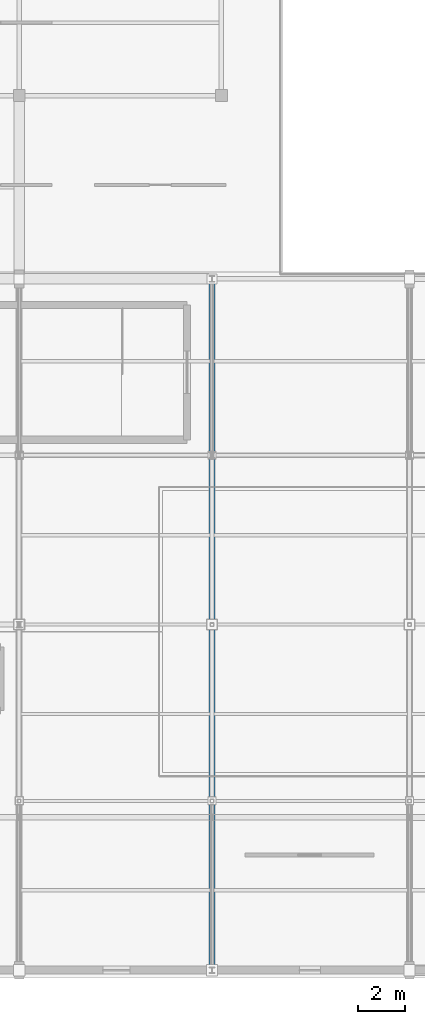
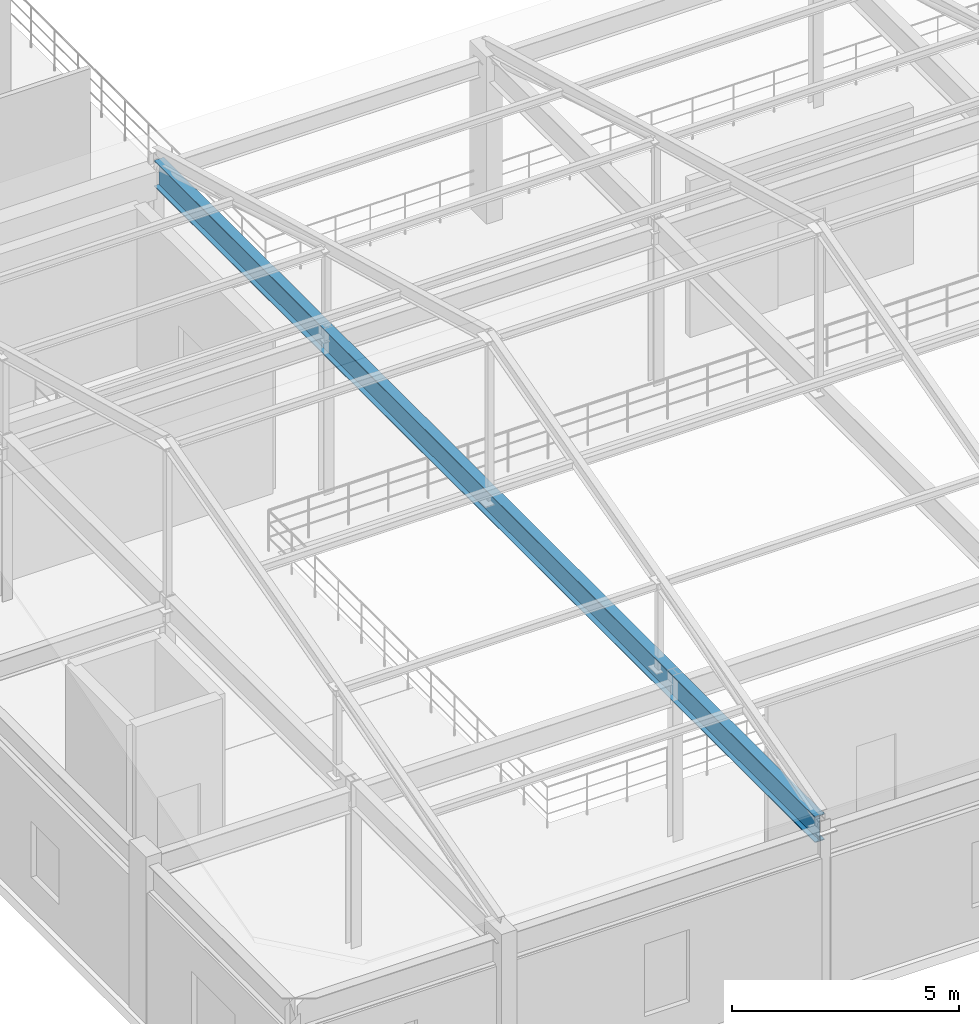
# One storey, part 26 of 112: 1 beam.
"""IFC4 building model written with IfcOpenShell, lengths in metres."""

from ifc_helpers import new_model, si_unit, direction, frame, origin, origin_2d, place, context, subcontext, project, spatial, i_section, extrude, material, material_profile, profile_set, type_object, element, save


model = new_model("IFC4")

# Units and contexts
model_context = context("Model", 3, precision=1e-05, world=origin(), true_north=direction((0.0, 1.0)))
body_context = subcontext(model_context, "Body", "Model", "MODEL_VIEW")
ifc_project = project(units=[si_unit("LENGTHUNIT", "METRE"), si_unit("AREAUNIT", "SQUARE_METRE"), si_unit("VOLUMEUNIT", "CUBIC_METRE"), si_unit("PLANEANGLEUNIT", "RADIAN"), si_unit("MASSUNIT", "GRAM", prefix="KILO")], contexts=[model_context])

# Site, building, storey
site_placement = place(None, origin())
site = spatial("IfcSite", under=ifc_project, at=site_placement, CompositionType="ELEMENT")
building_placement = place(site_placement, origin())
building = spatial("IfcBuilding", under=site, at=building_placement, Name="Cinderbank Siding Concert Hall", CompositionType="ELEMENT")
storey_placement = place(building_placement, frame((0.0, 0.0, 10.199951171875)))
storey = spatial("IfcBuildingStorey", under=building, at=storey_placement, Name="L03", CompositionType="ELEMENT", Elevation=10.199951171875)

# Beam
ifc_material = material(Name="Structural steel welded plate section AS/NZS 3679.2 / AS/NZS 3678 Grade 350 (340 MPa)", Category="steel")
ifc_material_profile = material_profile(ifc_material, i_section(OverallWidth=0.25, OverallDepth=0.699951171875, WebThickness=0.011962890625, FlangeThickness=0.02001953125, at=origin_2d()), Name="700WB150", Category="LoadBearing")
ifc_profile_set = profile_set([ifc_material_profile], Name="Structural steel welded plate section AS/NZS 3679.2 / AS/NZS 3678 Grade 350 (340 MPa)")
beam_type = type_object("IfcBeamType", Name="BM-WB700H 700WB150", PredefinedType="BEAM", material=ifc_profile_set)
beam_placement = place(storey_placement, frame((20.60009765625, 6.218994140625, 4.130126953125), z_axis=(0.0, 1.0, 0.0), x_axis=(-1.0, 0.0, 0.0)))
element("IfcBeam", 1, at=beam_placement, inside=storey, type_object=beam_type, Name="L03 Beam BM-WB700H #18", PredefinedType="BEAM", context=body_context, shape_type="SweptSolid", body=[
    extrude(i_section(OverallWidth=0.25, OverallDepth=0.699951171875, WebThickness=0.011962890625, FlangeThickness=0.02001953125, at=origin_2d()), origin(), (0.0, 0.0, 1.0), 29.162109375),
])

save(model, "model.ifc")
